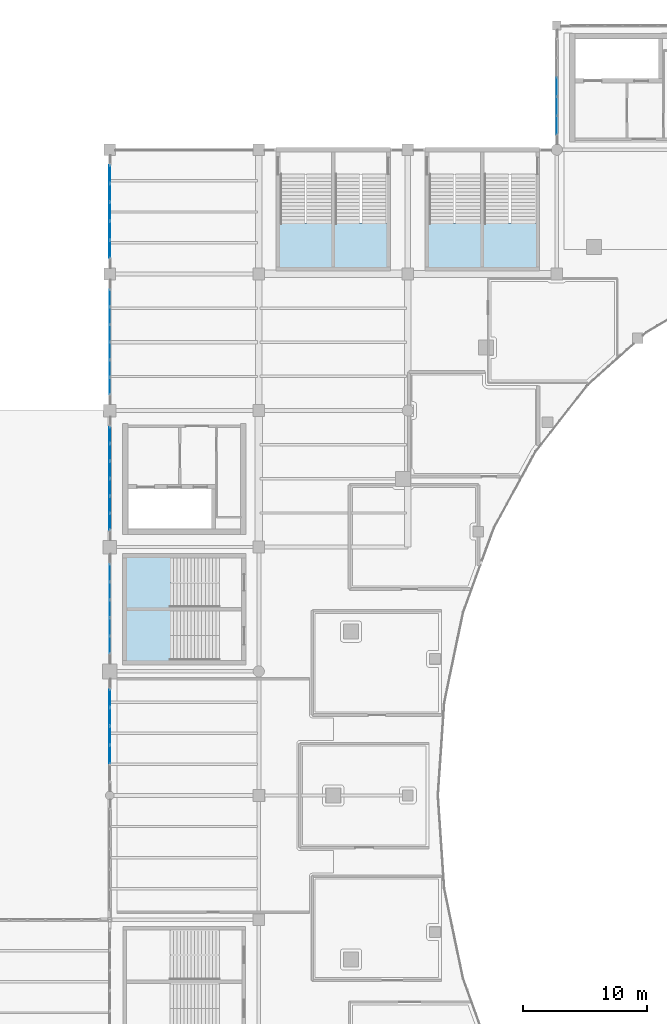
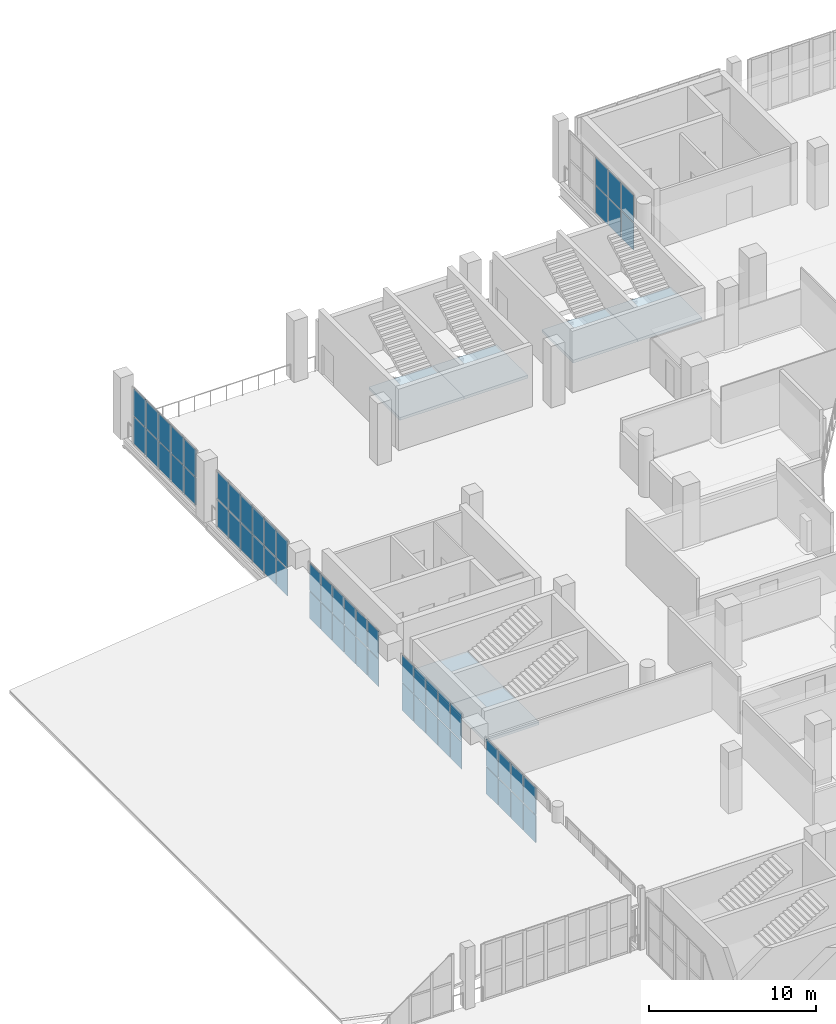
# One storey, part 54 of 90: 58 plates, 6 slabs, 12 elements without a shape of their own.
"""IFC4 building model written with IfcOpenShell, lengths in metres."""

from ifc_helpers import new_model, si_unit, direction, frame, origin, origin_2d, place, context, subcontext, project, spatial, polyline, rectangle, outline, extrude, material, layer, layer_set, type_object, element, aggregate, save


model = new_model("IFC4")

# Units and contexts
model_context = context("Model", 3, precision=1e-05, world=origin(), true_north=direction((0.0, 1.0)))
body_context = subcontext(model_context, "Body", "Model", "MODEL_VIEW")
ifc_project = project(units=[si_unit("LENGTHUNIT", "METRE"), si_unit("AREAUNIT", "SQUARE_METRE"), si_unit("VOLUMEUNIT", "CUBIC_METRE"), si_unit("PLANEANGLEUNIT", "RADIAN"), si_unit("MASSUNIT", "GRAM", prefix="KILO")], contexts=[model_context])

# Site, building, storey
site_placement = place(None, origin())
site = spatial("IfcSite", under=ifc_project, at=site_placement, CompositionType="ELEMENT")
building_placement = place(site_placement, origin())
building = spatial("IfcBuilding", under=site, at=building_placement, Name="Brinegate Civic Arena", CompositionType="ELEMENT")
storey_placement = place(building_placement, frame((0.0, 0.0, 14.699951171875)))
storey = spatial("IfcBuildingStorey", under=building, at=storey_placement, Name="L03", CompositionType="ELEMENT", Elevation=14.699951171875)

# Curtain wall, plates
ifc_material_1 = material(Name="Marine grade aluminium", Category="aluminium")
ifc_layer_1 = layer(ifc_material_1, 0.235107421875, Name="Marine grade aluminium")
ifc_layer_set_1 = layer_set([ifc_layer_1], Name="Marine grade aluminium")
curtain_wall_type_1 = type_object("IfcCurtainWallType", Name="CW-PORTAL-NORTH-01", PredefinedType="USERDEFINED", material=ifc_layer_set_1)
curtain_wall_1_placement = place(storey_placement, origin())
curtain_wall_1 = element("IfcCurtainWall", 1, at=curtain_wall_1_placement, inside=storey, type_object=curtain_wall_type_1, Name="Curtain Wall CWA-128", ObjectType="PORTAL CURTAIN WALL", PredefinedType="USERDEFINED")
ifc_material_2 = material(Name="Hurricane laminated low-E glass", Category="glass")
ifc_layer_2 = layer(ifc_material_2, 0.028076171875, Name="Hurricane laminated low-E glass")
ifc_layer_set_2 = layer_set([ifc_layer_2], Name="Hurricane laminated low-E glass")
plate_type_1 = type_object("IfcPlateType", Name="CW-PANEL-GLAZED-28", PredefinedType="CURTAIN_PANEL", material=ifc_layer_set_2)
plate_1_placement = place(storey_placement, frame((84.0, 115.979248046875, 0.065185546875), z_axis=(0.0, 0.0, 1.0), x_axis=(0.0, 1.0, 0.0)))
plate_1 = element("IfcPlate", 2, at=plate_1_placement, type_object=plate_type_1, Name="CWA-128 panel 1.1", PredefinedType="CURTAIN_PANEL", context=body_context, shape_type="SweptSolid", body=[
    extrude(rectangle(XDim=1.456298828125, YDim=0.028076171875, at=origin_2d()), origin(), (0.0, 0.0, 1.0), 1.982421875),
])
plate_2_placement = place(storey_placement, frame((84.0, 115.979248046875, 2.112548828125), z_axis=(0.0, 0.0, 1.0), x_axis=(0.0, 1.0, 0.0)))
plate_2 = element("IfcPlate", 3, at=plate_2_placement, type_object=plate_type_1, Name="CWA-128 panel 1.2", PredefinedType="CURTAIN_PANEL", context=body_context, shape_type="SweptSolid", body=[
    extrude(rectangle(XDim=1.456298828125, YDim=0.028076171875, at=origin_2d()), origin(), (0.0, 0.0, 1.0), 1.982421875),
])
plate_3_placement = place(storey_placement, frame((84.0, 117.5166015625, 0.065185546875), z_axis=(0.0, 0.0, 1.0), x_axis=(0.0, 1.0, 0.0)))
plate_3 = element("IfcPlate", 4, at=plate_3_placement, type_object=plate_type_1, Name="CWA-128 panel 2.1", PredefinedType="CURTAIN_PANEL", context=body_context, shape_type="SweptSolid", body=[
    extrude(rectangle(XDim=1.48876953125, YDim=0.028076171875, at=origin_2d()), origin(), (0.0, 0.0, 1.0), 1.982421875),
])
plate_4_placement = place(storey_placement, frame((84.0, 117.5166015625, 2.112548828125), z_axis=(0.0, 0.0, 1.0), x_axis=(0.0, 1.0, 0.0)))
plate_4 = element("IfcPlate", 5, at=plate_4_placement, type_object=plate_type_1, Name="CWA-128 panel 2.2", PredefinedType="CURTAIN_PANEL", context=body_context, shape_type="SweptSolid", body=[
    extrude(rectangle(XDim=1.48876953125, YDim=0.028076171875, at=origin_2d()), origin(), (0.0, 0.0, 1.0), 1.982421875),
])
plate_5_placement = place(storey_placement, frame((84.0, 119.070556640625, 0.065185546875), z_axis=(0.0, 0.0, 1.0), x_axis=(0.0, 1.0, 0.0)))
plate_5 = element("IfcPlate", 6, at=plate_5_placement, type_object=plate_type_1, Name="CWA-128 panel 3.1", PredefinedType="CURTAIN_PANEL", context=body_context, shape_type="SweptSolid", body=[
    extrude(rectangle(XDim=1.48876953125, YDim=0.028076171875, at=origin_2d()), origin(), (0.0, 0.0, 1.0), 1.982421875),
])
plate_6_placement = place(storey_placement, frame((84.0, 119.070556640625, 2.112548828125), z_axis=(0.0, 0.0, 1.0), x_axis=(0.0, 1.0, 0.0)))
plate_6 = element("IfcPlate", 7, at=plate_6_placement, type_object=plate_type_1, Name="CWA-128 panel 3.2", PredefinedType="CURTAIN_PANEL", context=body_context, shape_type="SweptSolid", body=[
    extrude(rectangle(XDim=1.48876953125, YDim=0.028076171875, at=origin_2d()), origin(), (0.0, 0.0, 1.0), 1.982421875),
])
aggregate(curtain_wall_1, [plate_1, plate_2, plate_3, plate_4, plate_5, plate_6])

ifc_layer_3 = layer(ifc_material_1, 0.199951171875, Name="Marine grade aluminium")
ifc_layer_set_3 = layer_set([ifc_layer_3], Name="Marine grade aluminium")
curtain_wall_type_2 = type_object("IfcCurtainWallType", Name="CW-BOWL-GLAZED-01", PredefinedType="USERDEFINED", material=ifc_layer_set_3)
curtain_wall_2_placement = place(storey_placement, origin())
curtain_wall_2 = element("IfcCurtainWall", 8, at=curtain_wall_2_placement, inside=storey, type_object=curtain_wall_type_2, Name="Curtain Wall CWA-117", ObjectType="GLAZED CURTAIN WALL", PredefinedType="USERDEFINED")
ifc_layer_4 = layer(ifc_material_2, 0.031982421875, Name="Hurricane laminated low-E glass")
ifc_layer_set_4 = layer_set([ifc_layer_4], Name="Hurricane laminated low-E glass")
plate_type_2 = type_object("IfcPlateType", Name="CW-PANEL-GLAZED-32", PredefinedType="CURTAIN_PANEL", material=ifc_layer_set_4)
plate_7_placement = place(storey_placement, frame((48.0, 74.142578125, 0.065185546875), z_axis=(0.0, 0.0, 1.0), x_axis=(0.0, 1.0, 0.0)))
plate_7 = element("IfcPlate", 9, at=plate_7_placement, type_object=plate_type_2, Name="CWA-117 panel 1.1", PredefinedType="CURTAIN_PANEL", context=body_context, shape_type="SweptSolid", body=[
    extrude(rectangle(XDim=1.357177734375, YDim=0.031982421875, at=origin_2d()), origin(), (0.0, 0.0, 1.0), 1.982421875),
])
plate_8_placement = place(storey_placement, frame((48.0, 74.142578125, 2.112548828125), z_axis=(0.0, 0.0, 1.0), x_axis=(0.0, 1.0, 0.0)))
plate_8 = element("IfcPlate", 10, at=plate_8_placement, type_object=plate_type_2, Name="CWA-117 panel 1.2", PredefinedType="CURTAIN_PANEL", context=body_context, shape_type="SweptSolid", body=[
    extrude(rectangle(XDim=1.357177734375, YDim=0.031982421875, at=origin_2d()), origin(), (0.0, 0.0, 1.0), 1.982421875),
])
plate_9_placement = place(storey_placement, frame((48.0, 75.580810546875, 0.065185546875), z_axis=(0.0, 0.0, 1.0), x_axis=(0.0, 1.0, 0.0)))
plate_9 = element("IfcPlate", 11, at=plate_9_placement, type_object=plate_type_2, Name="CWA-117 panel 2.1", PredefinedType="CURTAIN_PANEL", context=body_context, shape_type="SweptSolid", body=[
    extrude(rectangle(XDim=1.3896484375, YDim=0.031982421875, at=origin_2d()), origin(), (0.0, 0.0, 1.0), 1.982421875),
])
plate_10_placement = place(storey_placement, frame((48.0, 75.580810546875, 2.112548828125), z_axis=(0.0, 0.0, 1.0), x_axis=(0.0, 1.0, 0.0)))
plate_10 = element("IfcPlate", 12, at=plate_10_placement, type_object=plate_type_2, Name="CWA-117 panel 2.2", PredefinedType="CURTAIN_PANEL", context=body_context, shape_type="SweptSolid", body=[
    extrude(rectangle(XDim=1.3896484375, YDim=0.031982421875, at=origin_2d()), origin(), (0.0, 0.0, 1.0), 1.982421875),
])
plate_11_placement = place(storey_placement, frame((48.0, 77.035400390625, 0.065185546875), z_axis=(0.0, 0.0, 1.0), x_axis=(0.0, 1.0, 0.0)))
plate_11 = element("IfcPlate", 13, at=plate_11_placement, type_object=plate_type_2, Name="CWA-117 panel 3.1", PredefinedType="CURTAIN_PANEL", context=body_context, shape_type="SweptSolid", body=[
    extrude(rectangle(XDim=1.3896484375, YDim=0.031982421875, at=origin_2d()), origin(), (0.0, 0.0, 1.0), 1.982421875),
])
plate_12_placement = place(storey_placement, frame((48.0, 77.035400390625, 2.112548828125), z_axis=(0.0, 0.0, 1.0), x_axis=(0.0, 1.0, 0.0)))
plate_12 = element("IfcPlate", 14, at=plate_12_placement, type_object=plate_type_2, Name="CWA-117 panel 3.2", PredefinedType="CURTAIN_PANEL", context=body_context, shape_type="SweptSolid", body=[
    extrude(rectangle(XDim=1.3896484375, YDim=0.031982421875, at=origin_2d()), origin(), (0.0, 0.0, 1.0), 1.982421875),
])
plate_13_placement = place(storey_placement, frame((48.0, 78.489990234375, 0.065185546875), z_axis=(0.0, 0.0, 1.0), x_axis=(0.0, 1.0, 0.0)))
plate_13 = element("IfcPlate", 15, at=plate_13_placement, type_object=plate_type_2, Name="CWA-117 panel 4.1", PredefinedType="CURTAIN_PANEL", context=body_context, shape_type="SweptSolid", body=[
    extrude(rectangle(XDim=1.3896484375, YDim=0.031982421875, at=origin_2d()), origin(), (0.0, 0.0, 1.0), 1.982421875),
])
plate_14_placement = place(storey_placement, frame((48.0, 78.489990234375, 2.112548828125), z_axis=(0.0, 0.0, 1.0), x_axis=(0.0, 1.0, 0.0)))
plate_14 = element("IfcPlate", 16, at=plate_14_placement, type_object=plate_type_2, Name="CWA-117 panel 4.2", PredefinedType="CURTAIN_PANEL", context=body_context, shape_type="SweptSolid", body=[
    extrude(rectangle(XDim=1.3896484375, YDim=0.031982421875, at=origin_2d()), origin(), (0.0, 0.0, 1.0), 1.982421875),
])
plate_15_placement = place(storey_placement, frame((48.0, 79.928466796875, 0.065185546875), z_axis=(0.0, 0.0, 1.0), x_axis=(0.0, 1.0, 0.0)))
plate_15 = element("IfcPlate", 17, at=plate_15_placement, type_object=plate_type_2, Name="CWA-117 panel 5.1", PredefinedType="CURTAIN_PANEL", context=body_context, shape_type="SweptSolid", body=[
    extrude(rectangle(XDim=1.357177734375, YDim=0.031982421875, at=origin_2d()), origin(), (0.0, 0.0, 1.0), 1.982421875),
])
plate_16_placement = place(storey_placement, frame((48.0, 79.928466796875, 2.112548828125), z_axis=(0.0, 0.0, 1.0), x_axis=(0.0, 1.0, 0.0)))
plate_16 = element("IfcPlate", 18, at=plate_16_placement, type_object=plate_type_2, Name="CWA-117 panel 5.2", PredefinedType="CURTAIN_PANEL", context=body_context, shape_type="SweptSolid", body=[
    extrude(rectangle(XDim=1.357177734375, YDim=0.031982421875, at=origin_2d()), origin(), (0.0, 0.0, 1.0), 1.982421875),
])
aggregate(curtain_wall_2, [plate_7, plate_8, plate_9, plate_10, plate_11, plate_12, plate_13, plate_14, plate_15, plate_16])

curtain_wall_3_placement = place(storey_placement, origin())
curtain_wall_3 = element("IfcCurtainWall", 19, at=curtain_wall_3_placement, inside=storey, type_object=curtain_wall_type_2, Name="Curtain Wall CWA-121", ObjectType="GLAZED CURTAIN WALL", PredefinedType="USERDEFINED")
plate_17_placement = place(storey_placement, frame((48.0, 94.9833984375, 0.0751953125), z_axis=(0.0, 0.0, 1.0), x_axis=(0.0, 1.0, 0.0)))
plate_17 = element("IfcPlate", 20, at=plate_17_placement, type_object=plate_type_2, Name="CWA-121 panel 1.1", PredefinedType="CURTAIN_PANEL", context=body_context, shape_type="SweptSolid", body=[
    extrude(rectangle(XDim=1.32275390625, YDim=0.031982421875, at=origin_2d()), origin(), (0.0, 0.0, 1.0), 1.967529296875),
])
plate_18_placement = place(storey_placement, frame((48.0, 94.9833984375, 2.11767578125), z_axis=(0.0, 0.0, 1.0), x_axis=(0.0, 1.0, 0.0)))
plate_18 = element("IfcPlate", 21, at=plate_18_placement, type_object=plate_type_2, Name="CWA-121 panel 1.2", PredefinedType="CURTAIN_PANEL", context=body_context, shape_type="SweptSolid", body=[
    extrude(rectangle(XDim=1.32275390625, YDim=0.031982421875, at=origin_2d()), origin(), (0.0, 0.0, 1.0), 1.967529296875),
])
plate_19_placement = place(storey_placement, frame((48.0, 96.38720703125, 0.0751953125), z_axis=(0.0, 0.0, 1.0), x_axis=(0.0, 1.0, 0.0)))
plate_19 = element("IfcPlate", 22, at=plate_19_placement, type_object=plate_type_2, Name="CWA-121 panel 2.1", PredefinedType="CURTAIN_PANEL", context=body_context, shape_type="SweptSolid", body=[
    extrude(rectangle(XDim=1.355224609375, YDim=0.031982421875, at=origin_2d()), origin(), (0.0, 0.0, 1.0), 1.967529296875),
])
plate_20_placement = place(storey_placement, frame((48.0, 96.38720703125, 2.11767578125), z_axis=(0.0, 0.0, 1.0), x_axis=(0.0, 1.0, 0.0)))
plate_20 = element("IfcPlate", 23, at=plate_20_placement, type_object=plate_type_2, Name="CWA-121 panel 2.2", PredefinedType="CURTAIN_PANEL", context=body_context, shape_type="SweptSolid", body=[
    extrude(rectangle(XDim=1.355224609375, YDim=0.031982421875, at=origin_2d()), origin(), (0.0, 0.0, 1.0), 1.967529296875),
])
plate_21_placement = place(storey_placement, frame((48.0, 97.807373046875, 0.0751953125), z_axis=(0.0, 0.0, 1.0), x_axis=(0.0, 1.0, 0.0)))
plate_21 = element("IfcPlate", 24, at=plate_21_placement, type_object=plate_type_2, Name="CWA-121 panel 3.1", PredefinedType="CURTAIN_PANEL", context=body_context, shape_type="SweptSolid", body=[
    extrude(rectangle(XDim=1.355224609375, YDim=0.031982421875, at=origin_2d()), origin(), (0.0, 0.0, 1.0), 1.967529296875),
])
plate_22_placement = place(storey_placement, frame((48.0, 97.807373046875, 2.11767578125), z_axis=(0.0, 0.0, 1.0), x_axis=(0.0, 1.0, 0.0)))
plate_22 = element("IfcPlate", 25, at=plate_22_placement, type_object=plate_type_2, Name="CWA-121 panel 3.2", PredefinedType="CURTAIN_PANEL", context=body_context, shape_type="SweptSolid", body=[
    extrude(rectangle(XDim=1.355224609375, YDim=0.031982421875, at=origin_2d()), origin(), (0.0, 0.0, 1.0), 1.967529296875),
])
plate_23_placement = place(storey_placement, frame((48.0, 99.2275390625, 0.0751953125), z_axis=(0.0, 0.0, 1.0), x_axis=(0.0, 1.0, 0.0)))
plate_23 = element("IfcPlate", 26, at=plate_23_placement, type_object=plate_type_2, Name="CWA-121 panel 4.1", PredefinedType="CURTAIN_PANEL", context=body_context, shape_type="SweptSolid", body=[
    extrude(rectangle(XDim=1.355224609375, YDim=0.031982421875, at=origin_2d()), origin(), (0.0, 0.0, 1.0), 1.967529296875),
])
plate_24_placement = place(storey_placement, frame((48.0, 99.2275390625, 2.11767578125), z_axis=(0.0, 0.0, 1.0), x_axis=(0.0, 1.0, 0.0)))
plate_24 = element("IfcPlate", 27, at=plate_24_placement, type_object=plate_type_2, Name="CWA-121 panel 4.2", PredefinedType="CURTAIN_PANEL", context=body_context, shape_type="SweptSolid", body=[
    extrude(rectangle(XDim=1.355224609375, YDim=0.031982421875, at=origin_2d()), origin(), (0.0, 0.0, 1.0), 1.967529296875),
])
plate_25_placement = place(storey_placement, frame((48.0, 100.647705078125, 0.0751953125), z_axis=(0.0, 0.0, 1.0), x_axis=(0.0, 1.0, 0.0)))
plate_25 = element("IfcPlate", 28, at=plate_25_placement, type_object=plate_type_2, Name="CWA-121 panel 5.1", PredefinedType="CURTAIN_PANEL", context=body_context, shape_type="SweptSolid", body=[
    extrude(rectangle(XDim=1.355224609375, YDim=0.031982421875, at=origin_2d()), origin(), (0.0, 0.0, 1.0), 1.967529296875),
])
plate_26_placement = place(storey_placement, frame((48.0, 100.647705078125, 2.11767578125), z_axis=(0.0, 0.0, 1.0), x_axis=(0.0, 1.0, 0.0)))
plate_26 = element("IfcPlate", 29, at=plate_26_placement, type_object=plate_type_2, Name="CWA-121 panel 5.2", PredefinedType="CURTAIN_PANEL", context=body_context, shape_type="SweptSolid", body=[
    extrude(rectangle(XDim=1.355224609375, YDim=0.031982421875, at=origin_2d()), origin(), (0.0, 0.0, 1.0), 1.967529296875),
])
plate_27_placement = place(storey_placement, frame((48.0, 102.0517578125, 0.0751953125), z_axis=(0.0, 0.0, 1.0), x_axis=(0.0, 1.0, 0.0)))
plate_27 = element("IfcPlate", 30, at=plate_27_placement, type_object=plate_type_2, Name="CWA-121 panel 6.1", PredefinedType="CURTAIN_PANEL", context=body_context, shape_type="SweptSolid", body=[
    extrude(rectangle(XDim=1.32275390625, YDim=0.031982421875, at=origin_2d()), origin(), (0.0, 0.0, 1.0), 1.967529296875),
])
plate_28_placement = place(storey_placement, frame((48.0, 102.0517578125, 2.11767578125), z_axis=(0.0, 0.0, 1.0), x_axis=(0.0, 1.0, 0.0)))
plate_28 = element("IfcPlate", 31, at=plate_28_placement, type_object=plate_type_2, Name="CWA-121 panel 6.2", PredefinedType="CURTAIN_PANEL", context=body_context, shape_type="SweptSolid", body=[
    extrude(rectangle(XDim=1.32275390625, YDim=0.031982421875, at=origin_2d()), origin(), (0.0, 0.0, 1.0), 1.967529296875),
])
aggregate(curtain_wall_3, [plate_17, plate_18, plate_19, plate_20, plate_21, plate_22, plate_23, plate_24, plate_25, plate_26, plate_27, plate_28])

curtain_wall_4_placement = place(storey_placement, origin())
curtain_wall_4 = element("IfcCurtainWall", 32, at=curtain_wall_4_placement, inside=storey, type_object=curtain_wall_type_2, Name="Curtain Wall CWA-115", ObjectType="GLAZED CURTAIN WALL", PredefinedType="USERDEFINED")
ifc_layer_5 = layer(ifc_material_2, 0.0419921875, Name="Hurricane laminated low-E glass")
ifc_layer_set_5 = layer_set([ifc_layer_5], Name="Hurricane laminated low-E glass")
plate_type_3 = type_object("IfcPlateType", Name="CW-PANEL-SPANDREL-42", PredefinedType="CURTAIN_PANEL", material=ifc_layer_set_5)
plate_29_placement = place(storey_placement, frame((48.0, 65.311767578125, 0.0751953125), z_axis=(0.0, 0.0, 1.0), x_axis=(0.0, 1.0, 0.0)))
plate_29 = element("IfcPlate", 33, at=plate_29_placement, type_object=plate_type_3, Name="CWA-115 panel 2.1", PredefinedType="CURTAIN_PANEL", context=body_context, shape_type="SweptSolid", body=[
    extrude(rectangle(XDim=1.43115234375, YDim=0.0419921875, at=origin_2d()), origin(), (0.0, 0.0, 1.0), 1.967529296875),
])
plate_30_placement = place(storey_placement, frame((48.0, 65.311767578125, 2.11767578125), z_axis=(0.0, 0.0, 1.0), x_axis=(0.0, 1.0, 0.0)))
plate_30 = element("IfcPlate", 34, at=plate_30_placement, type_object=plate_type_3, Name="CWA-115 panel 2.2", PredefinedType="CURTAIN_PANEL", context=body_context, shape_type="SweptSolid", body=[
    extrude(rectangle(XDim=1.43115234375, YDim=0.0419921875, at=origin_2d()), origin(), (0.0, 0.0, 1.0), 1.967529296875),
])
plate_31_placement = place(storey_placement, frame((48.0, 66.822998046875, 0.0751953125), z_axis=(0.0, 0.0, 1.0), x_axis=(0.0, 1.0, 0.0)))
plate_31 = element("IfcPlate", 35, at=plate_31_placement, type_object=plate_type_3, Name="CWA-115 panel 3.1", PredefinedType="CURTAIN_PANEL", context=body_context, shape_type="SweptSolid", body=[
    extrude(rectangle(XDim=1.43115234375, YDim=0.0419921875, at=origin_2d()), origin(), (0.0, 0.0, 1.0), 1.967529296875),
])
plate_32_placement = place(storey_placement, frame((48.0, 66.822998046875, 2.11767578125), z_axis=(0.0, 0.0, 1.0), x_axis=(0.0, 1.0, 0.0)))
plate_32 = element("IfcPlate", 36, at=plate_32_placement, type_object=plate_type_3, Name="CWA-115 panel 3.2", PredefinedType="CURTAIN_PANEL", context=body_context, shape_type="SweptSolid", body=[
    extrude(rectangle(XDim=1.43115234375, YDim=0.0419921875, at=origin_2d()), origin(), (0.0, 0.0, 1.0), 1.967529296875),
])
plate_33_placement = place(storey_placement, frame((48.0, 68.334228515625, 0.0751953125), z_axis=(0.0, 0.0, 1.0), x_axis=(0.0, 1.0, 0.0)))
plate_33 = element("IfcPlate", 37, at=plate_33_placement, type_object=plate_type_3, Name="CWA-115 panel 4.1", PredefinedType="CURTAIN_PANEL", context=body_context, shape_type="SweptSolid", body=[
    extrude(rectangle(XDim=1.43115234375, YDim=0.0419921875, at=origin_2d()), origin(), (0.0, 0.0, 1.0), 1.967529296875),
])
plate_34_placement = place(storey_placement, frame((48.0, 68.334228515625, 2.11767578125), z_axis=(0.0, 0.0, 1.0), x_axis=(0.0, 1.0, 0.0)))
plate_34 = element("IfcPlate", 38, at=plate_34_placement, type_object=plate_type_3, Name="CWA-115 panel 4.2", PredefinedType="CURTAIN_PANEL", context=body_context, shape_type="SweptSolid", body=[
    extrude(rectangle(XDim=1.43115234375, YDim=0.0419921875, at=origin_2d()), origin(), (0.0, 0.0, 1.0), 1.967529296875),
])
plate_35_placement = place(storey_placement, frame((48.0, 69.825439453125, 0.0751953125), z_axis=(0.0, 0.0, 1.0), x_axis=(0.0, 1.0, 0.0)))
plate_35 = element("IfcPlate", 39, at=plate_35_placement, type_object=plate_type_3, Name="CWA-115 panel 5.1", PredefinedType="CURTAIN_PANEL", context=body_context, shape_type="SweptSolid", body=[
    extrude(rectangle(XDim=1.39111328125, YDim=0.0419921875, at=origin_2d()), origin(), (0.0, 0.0, 1.0), 1.967529296875),
])
plate_36_placement = place(storey_placement, frame((48.0, 69.825439453125, 2.11767578125), z_axis=(0.0, 0.0, 1.0), x_axis=(0.0, 1.0, 0.0)))
plate_36 = element("IfcPlate", 40, at=plate_36_placement, type_object=plate_type_3, Name="CWA-115 panel 5.2", PredefinedType="CURTAIN_PANEL", context=body_context, shape_type="SweptSolid", body=[
    extrude(rectangle(XDim=1.39111328125, YDim=0.0419921875, at=origin_2d()), origin(), (0.0, 0.0, 1.0), 1.967529296875),
])
aggregate(curtain_wall_4, [plate_29, plate_30, plate_31, plate_32, plate_33, plate_34, plate_35, plate_36])

curtain_wall_5_placement = place(storey_placement, origin())
curtain_wall_5 = element("IfcCurtainWall", 41, at=curtain_wall_5_placement, inside=storey, type_object=curtain_wall_type_2, Name="Curtain Wall CWA-119", ObjectType="GLAZED CURTAIN WALL", PredefinedType="USERDEFINED")
plate_37_placement = place(storey_placement, frame((48.0, 84.04931640625, 0.065185546875), z_axis=(0.0, 0.0, 1.0), x_axis=(0.0, 1.0, 0.0)))
plate_37 = element("IfcPlate", 42, at=plate_37_placement, type_object=plate_type_3, Name="CWA-119 panel 1.1", PredefinedType="CURTAIN_PANEL", context=body_context, shape_type="SweptSolid", body=[
    extrude(rectangle(XDim=1.282470703125, YDim=0.0419921875, at=origin_2d()), origin(), (0.0, 0.0, 1.0), 1.982421875),
])
plate_38_placement = place(storey_placement, frame((48.0, 84.04931640625, 2.112548828125), z_axis=(0.0, 0.0, 1.0), x_axis=(0.0, 1.0, 0.0)))
plate_38 = element("IfcPlate", 43, at=plate_38_placement, type_object=plate_type_3, Name="CWA-119 panel 1.2", PredefinedType="CURTAIN_PANEL", context=body_context, shape_type="SweptSolid", body=[
    extrude(rectangle(XDim=1.282470703125, YDim=0.0419921875, at=origin_2d()), origin(), (0.0, 0.0, 1.0), 1.982421875),
])
plate_39_placement = place(storey_placement, frame((48.0, 85.431640625, 0.065185546875), z_axis=(0.0, 0.0, 1.0), x_axis=(0.0, 1.0, 0.0)))
plate_39 = element("IfcPlate", 44, at=plate_39_placement, type_object=plate_type_3, Name="CWA-119 panel 2.1", PredefinedType="CURTAIN_PANEL", context=body_context, shape_type="SweptSolid", body=[
    extrude(rectangle(XDim=1.322509765625, YDim=0.0419921875, at=origin_2d()), origin(), (0.0, 0.0, 1.0), 1.982421875),
])
plate_40_placement = place(storey_placement, frame((48.0, 85.431640625, 2.112548828125), z_axis=(0.0, 0.0, 1.0), x_axis=(0.0, 1.0, 0.0)))
plate_40 = element("IfcPlate", 45, at=plate_40_placement, type_object=plate_type_3, Name="CWA-119 panel 2.2", PredefinedType="CURTAIN_PANEL", context=body_context, shape_type="SweptSolid", body=[
    extrude(rectangle(XDim=1.322509765625, YDim=0.0419921875, at=origin_2d()), origin(), (0.0, 0.0, 1.0), 1.982421875),
])
plate_41_placement = place(storey_placement, frame((48.0, 86.834228515625, 0.065185546875), z_axis=(0.0, 0.0, 1.0), x_axis=(0.0, 1.0, 0.0)))
plate_41 = element("IfcPlate", 46, at=plate_41_placement, type_object=plate_type_3, Name="CWA-119 panel 3.1", PredefinedType="CURTAIN_PANEL", context=body_context, shape_type="SweptSolid", body=[
    extrude(rectangle(XDim=1.322509765625, YDim=0.0419921875, at=origin_2d()), origin(), (0.0, 0.0, 1.0), 1.982421875),
])
plate_42_placement = place(storey_placement, frame((48.0, 86.834228515625, 2.112548828125), z_axis=(0.0, 0.0, 1.0), x_axis=(0.0, 1.0, 0.0)))
plate_42 = element("IfcPlate", 47, at=plate_42_placement, type_object=plate_type_3, Name="CWA-119 panel 3.2", PredefinedType="CURTAIN_PANEL", context=body_context, shape_type="SweptSolid", body=[
    extrude(rectangle(XDim=1.322509765625, YDim=0.0419921875, at=origin_2d()), origin(), (0.0, 0.0, 1.0), 1.982421875),
])
plate_43_placement = place(storey_placement, frame((48.0, 88.23681640625, 0.065185546875), z_axis=(0.0, 0.0, 1.0), x_axis=(0.0, 1.0, 0.0)))
plate_43 = element("IfcPlate", 48, at=plate_43_placement, type_object=plate_type_3, Name="CWA-119 panel 4.1", PredefinedType="CURTAIN_PANEL", context=body_context, shape_type="SweptSolid", body=[
    extrude(rectangle(XDim=1.322509765625, YDim=0.0419921875, at=origin_2d()), origin(), (0.0, 0.0, 1.0), 1.982421875),
])
plate_44_placement = place(storey_placement, frame((48.0, 88.23681640625, 2.112548828125), z_axis=(0.0, 0.0, 1.0), x_axis=(0.0, 1.0, 0.0)))
plate_44 = element("IfcPlate", 49, at=plate_44_placement, type_object=plate_type_3, Name="CWA-119 panel 4.2", PredefinedType="CURTAIN_PANEL", context=body_context, shape_type="SweptSolid", body=[
    extrude(rectangle(XDim=1.322509765625, YDim=0.0419921875, at=origin_2d()), origin(), (0.0, 0.0, 1.0), 1.982421875),
])
plate_45_placement = place(storey_placement, frame((48.0, 89.63916015625, 0.065185546875), z_axis=(0.0, 0.0, 1.0), x_axis=(0.0, 1.0, 0.0)))
plate_45 = element("IfcPlate", 50, at=plate_45_placement, type_object=plate_type_3, Name="CWA-119 panel 5.1", PredefinedType="CURTAIN_PANEL", context=body_context, shape_type="SweptSolid", body=[
    extrude(rectangle(XDim=1.322509765625, YDim=0.0419921875, at=origin_2d()), origin(), (0.0, 0.0, 1.0), 1.982421875),
])
plate_46_placement = place(storey_placement, frame((48.0, 89.63916015625, 2.112548828125), z_axis=(0.0, 0.0, 1.0), x_axis=(0.0, 1.0, 0.0)))
plate_46 = element("IfcPlate", 51, at=plate_46_placement, type_object=plate_type_3, Name="CWA-119 panel 5.2", PredefinedType="CURTAIN_PANEL", context=body_context, shape_type="SweptSolid", body=[
    extrude(rectangle(XDim=1.322509765625, YDim=0.0419921875, at=origin_2d()), origin(), (0.0, 0.0, 1.0), 1.982421875),
])
plate_47_placement = place(storey_placement, frame((48.0, 91.021728515625, 0.065185546875), z_axis=(0.0, 0.0, 1.0), x_axis=(0.0, 1.0, 0.0)))
plate_47 = element("IfcPlate", 52, at=plate_47_placement, type_object=plate_type_3, Name="CWA-119 panel 6.1", PredefinedType="CURTAIN_PANEL", context=body_context, shape_type="SweptSolid", body=[
    extrude(rectangle(XDim=1.282470703125, YDim=0.0419921875, at=origin_2d()), origin(), (0.0, 0.0, 1.0), 1.982421875),
])
plate_48_placement = place(storey_placement, frame((48.0, 91.021728515625, 2.112548828125), z_axis=(0.0, 0.0, 1.0), x_axis=(0.0, 1.0, 0.0)))
plate_48 = element("IfcPlate", 53, at=plate_48_placement, type_object=plate_type_3, Name="CWA-119 panel 6.2", PredefinedType="CURTAIN_PANEL", context=body_context, shape_type="SweptSolid", body=[
    extrude(rectangle(XDim=1.282470703125, YDim=0.0419921875, at=origin_2d()), origin(), (0.0, 0.0, 1.0), 1.982421875),
])
aggregate(curtain_wall_5, [plate_37, plate_38, plate_39, plate_40, plate_41, plate_42, plate_43, plate_44, plate_45, plate_46, plate_47, plate_48])

curtain_wall_6_placement = place(storey_placement, origin())
curtain_wall_6 = element("IfcCurtainWall", 54, at=curtain_wall_6_placement, inside=storey, type_object=curtain_wall_type_2, Name="Curtain Wall CWA-123", ObjectType="GLAZED CURTAIN WALL", PredefinedType="USERDEFINED")
plate_49_placement = place(storey_placement, frame((48.0, 106.001220703125, 0.065185546875), z_axis=(0.0, 0.0, 1.0), x_axis=(0.0, 1.0, 0.0)))
plate_49 = element("IfcPlate", 55, at=plate_49_placement, type_object=plate_type_3, Name="CWA-123 panel 1.1", PredefinedType="CURTAIN_PANEL", context=body_context, shape_type="SweptSolid", body=[
    extrude(rectangle(XDim=1.3984375, YDim=0.0419921875, at=origin_2d()), origin(), (0.0, 0.0, 1.0), 1.982421875),
])
plate_50_placement = place(storey_placement, frame((48.0, 106.001220703125, 2.112548828125), z_axis=(0.0, 0.0, 1.0), x_axis=(0.0, 1.0, 0.0)))
plate_50 = element("IfcPlate", 56, at=plate_50_placement, type_object=plate_type_3, Name="CWA-123 panel 1.2", PredefinedType="CURTAIN_PANEL", context=body_context, shape_type="SweptSolid", body=[
    extrude(rectangle(XDim=1.3984375, YDim=0.0419921875, at=origin_2d()), origin(), (0.0, 0.0, 1.0), 1.982421875),
])
plate_51_placement = place(storey_placement, frame((48.0, 107.49951171875, 0.065185546875), z_axis=(0.0, 0.0, 1.0), x_axis=(0.0, 1.0, 0.0)))
plate_51 = element("IfcPlate", 57, at=plate_51_placement, type_object=plate_type_3, Name="CWA-123 panel 2.1", PredefinedType="CURTAIN_PANEL", context=body_context, shape_type="SweptSolid", body=[
    extrude(rectangle(XDim=1.4384765625, YDim=0.0419921875, at=origin_2d()), origin(), (0.0, 0.0, 1.0), 1.982421875),
])
plate_52_placement = place(storey_placement, frame((48.0, 107.49951171875, 2.112548828125), z_axis=(0.0, 0.0, 1.0), x_axis=(0.0, 1.0, 0.0)))
plate_52 = element("IfcPlate", 58, at=plate_52_placement, type_object=plate_type_3, Name="CWA-123 panel 2.2", PredefinedType="CURTAIN_PANEL", context=body_context, shape_type="SweptSolid", body=[
    extrude(rectangle(XDim=1.4384765625, YDim=0.0419921875, at=origin_2d()), origin(), (0.0, 0.0, 1.0), 1.982421875),
])
plate_53_placement = place(storey_placement, frame((48.0, 109.01806640625, 0.065185546875), z_axis=(0.0, 0.0, 1.0), x_axis=(0.0, 1.0, 0.0)))
plate_53 = element("IfcPlate", 59, at=plate_53_placement, type_object=plate_type_3, Name="CWA-123 panel 3.1", PredefinedType="CURTAIN_PANEL", context=body_context, shape_type="SweptSolid", body=[
    extrude(rectangle(XDim=1.4384765625, YDim=0.0419921875, at=origin_2d()), origin(), (0.0, 0.0, 1.0), 1.982421875),
])
plate_54_placement = place(storey_placement, frame((48.0, 109.01806640625, 2.112548828125), z_axis=(0.0, 0.0, 1.0), x_axis=(0.0, 1.0, 0.0)))
plate_54 = element("IfcPlate", 60, at=plate_54_placement, type_object=plate_type_3, Name="CWA-123 panel 3.2", PredefinedType="CURTAIN_PANEL", context=body_context, shape_type="SweptSolid", body=[
    extrude(rectangle(XDim=1.4384765625, YDim=0.0419921875, at=origin_2d()), origin(), (0.0, 0.0, 1.0), 1.982421875),
])
plate_55_placement = place(storey_placement, frame((48.0, 110.536376953125, 0.065185546875), z_axis=(0.0, 0.0, 1.0), x_axis=(0.0, 1.0, 0.0)))
plate_55 = element("IfcPlate", 61, at=plate_55_placement, type_object=plate_type_3, Name="CWA-123 panel 4.1", PredefinedType="CURTAIN_PANEL", context=body_context, shape_type="SweptSolid", body=[
    extrude(rectangle(XDim=1.4384765625, YDim=0.0419921875, at=origin_2d()), origin(), (0.0, 0.0, 1.0), 1.982421875),
])
plate_56_placement = place(storey_placement, frame((48.0, 110.536376953125, 2.112548828125), z_axis=(0.0, 0.0, 1.0), x_axis=(0.0, 1.0, 0.0)))
plate_56 = element("IfcPlate", 62, at=plate_56_placement, type_object=plate_type_3, Name="CWA-123 panel 4.2", PredefinedType="CURTAIN_PANEL", context=body_context, shape_type="SweptSolid", body=[
    extrude(rectangle(XDim=1.4384765625, YDim=0.0419921875, at=origin_2d()), origin(), (0.0, 0.0, 1.0), 1.982421875),
])
plate_57_placement = place(storey_placement, frame((48.0, 112.034912109375, 0.065185546875), z_axis=(0.0, 0.0, 1.0), x_axis=(0.0, 1.0, 0.0)))
plate_57 = element("IfcPlate", 63, at=plate_57_placement, type_object=plate_type_3, Name="CWA-123 panel 5.1", PredefinedType="CURTAIN_PANEL", context=body_context, shape_type="SweptSolid", body=[
    extrude(rectangle(XDim=1.3984375, YDim=0.0419921875, at=origin_2d()), origin(), (0.0, 0.0, 1.0), 1.982421875),
])
plate_58_placement = place(storey_placement, frame((48.0, 112.034912109375, 2.112548828125), z_axis=(0.0, 0.0, 1.0), x_axis=(0.0, 1.0, 0.0)))
plate_58 = element("IfcPlate", 64, at=plate_58_placement, type_object=plate_type_3, Name="CWA-123 panel 5.2", PredefinedType="CURTAIN_PANEL", context=body_context, shape_type="SweptSolid", body=[
    extrude(rectangle(XDim=1.3984375, YDim=0.0419921875, at=origin_2d()), origin(), (0.0, 0.0, 1.0), 1.982421875),
])
aggregate(curtain_wall_6, [plate_49, plate_50, plate_51, plate_52, plate_53, plate_54, plate_55, plate_56, plate_57, plate_58])

# Stair, slab
ifc_material_3 = material(Name="Concrete C40/50", Category="concrete")
stair_type_1 = type_object("IfcStairType", Name="STAIR-EXIT-3850", PredefinedType="HALF_TURN_STAIR", material=ifc_material_3)
stair_1_placement = place(storey_placement, origin())
stair_1 = element("IfcStair", 65, at=stair_1_placement, inside=storey, type_object=stair_type_1, Name="Protected Exit Stair ST-01A (L03)", PredefinedType="HALF_TURN_STAIR")
ifc_layer_6 = layer(ifc_material_3, 0.199951171875, Name="Concrete C40/50")
ifc_layer_set_6 = layer_set([ifc_layer_6], Name="Concrete C40/50")
slab_type = type_object("IfcSlabType", Name="SLAB-LANDING-200", PredefinedType="LANDING", material=ifc_layer_set_6)
slab_1_placement = place(storey_placement, frame((0.0, 0.0, 2.050048828125)))
slab_1 = element("IfcSlab", 66, at=slab_1_placement, type_object=slab_type, Name="ST-01A landing 1", PredefinedType="LANDING", context=body_context, shape_type="SweptSolid", body=[
    extrude(outline(polyline([(61.574951171875, 104.39990234375), (66.0048828125, 104.39990234375), (66.0048828125, 108.1201171875), (61.574951171875, 108.1201171875), (61.574951171875, 104.39990234375)])), origin(), (0.0, 0.0, 1.0), 0.199951171875),
])
aggregate(stair_1, [slab_1])

stair_type_2 = type_object("IfcStairType", Name="STAIR-EXIT-3700", PredefinedType="HALF_TURN_STAIR", material=ifc_material_3)
stair_2_placement = place(storey_placement, origin())
stair_2 = element("IfcStair", 67, at=stair_2_placement, inside=storey, type_object=stair_type_2, Name="Protected Exit Stair ST-01B (L03)", PredefinedType="HALF_TURN_STAIR")
slab_2_placement = place(storey_placement, frame((0.0, 0.0, 2.050048828125)))
slab_2 = element("IfcSlab", 68, at=slab_2_placement, type_object=slab_type, Name="ST-01B landing 1", PredefinedType="LANDING", context=body_context, shape_type="SweptSolid", body=[
    extrude(outline(polyline([(65.9951171875, 104.39990234375), (70.425048828125, 104.39990234375), (70.425048828125, 108.1201171875), (65.9951171875, 108.1201171875), (65.9951171875, 104.39990234375)])), origin(), (0.0, 0.0, 1.0), 0.199951171875),
])
aggregate(stair_2, [slab_2])

stair_3_placement = place(storey_placement, origin())
stair_3 = element("IfcStair", 69, at=stair_3_placement, inside=storey, type_object=stair_type_1, Name="Protected Exit Stair ST-07A (L03)", PredefinedType="HALF_TURN_STAIR")
slab_3_placement = place(storey_placement, frame((0.0, 0.0, 2.050048828125)))
slab_3 = element("IfcSlab", 70, at=slab_3_placement, type_object=slab_type, Name="ST-07A landing 1", PredefinedType="LANDING", context=body_context, shape_type="SweptSolid", body=[
    extrude(outline(polyline([(49.199951171875, 72.72509765625), (52.919921875, 72.72509765625), (52.919921875, 77.0048828125), (49.199951171875, 77.0048828125), (49.199951171875, 72.72509765625)])), origin(), (0.0, 0.0, 1.0), 0.199951171875),
])
aggregate(stair_3, [slab_3])

stair_4_placement = place(storey_placement, origin())
stair_4 = element("IfcStair", 71, at=stair_4_placement, inside=storey, type_object=stair_type_2, Name="Protected Exit Stair ST-07B (L03)", PredefinedType="HALF_TURN_STAIR")
slab_4_placement = place(storey_placement, frame((0.0, 0.0, 2.050048828125)))
slab_4 = element("IfcSlab", 72, at=slab_4_placement, type_object=slab_type, Name="ST-07B landing 1", PredefinedType="LANDING", context=body_context, shape_type="SweptSolid", body=[
    extrude(outline(polyline([(49.199951171875, 76.9951171875), (52.919921875, 76.9951171875), (52.919921875, 81.27490234375), (49.199951171875, 81.27490234375), (49.199951171875, 76.9951171875)])), origin(), (0.0, 0.0, 1.0), 0.199951171875),
])
aggregate(stair_4, [slab_4])

stair_5_placement = place(storey_placement, origin())
stair_5 = element("IfcStair", 73, at=stair_5_placement, inside=storey, type_object=stair_type_1, Name="Protected Exit Stair ST-11A (L03)", PredefinedType="HALF_TURN_STAIR")
slab_5_placement = place(storey_placement, frame((0.0, 0.0, 2.050048828125)))
slab_5 = element("IfcSlab", 74, at=slab_5_placement, type_object=slab_type, Name="ST-11A landing 1", PredefinedType="LANDING", context=body_context, shape_type="SweptSolid", body=[
    extrude(outline(polyline([(73.544921875, 104.39990234375), (78.0048828125, 104.39990234375), (78.0048828125, 108.1201171875), (73.544921875, 108.1201171875), (73.544921875, 104.39990234375)])), origin(), (0.0, 0.0, 1.0), 0.199951171875),
])
aggregate(stair_5, [slab_5])

stair_6_placement = place(storey_placement, origin())
stair_6 = element("IfcStair", 75, at=stair_6_placement, inside=storey, type_object=stair_type_2, Name="Protected Exit Stair ST-11B (L03)", PredefinedType="HALF_TURN_STAIR")
slab_6_placement = place(storey_placement, frame((0.0, 0.0, 2.050048828125)))
slab_6 = element("IfcSlab", 76, at=slab_6_placement, type_object=slab_type, Name="ST-11B landing 1", PredefinedType="LANDING", context=body_context, shape_type="SweptSolid", body=[
    extrude(outline(polyline([(77.9951171875, 104.39990234375), (82.455078125, 104.39990234375), (82.455078125, 108.1201171875), (77.9951171875, 108.1201171875), (77.9951171875, 104.39990234375)])), origin(), (0.0, 0.0, 1.0), 0.199951171875),
])
aggregate(stair_6, [slab_6])

save(model, "model.ifc")
